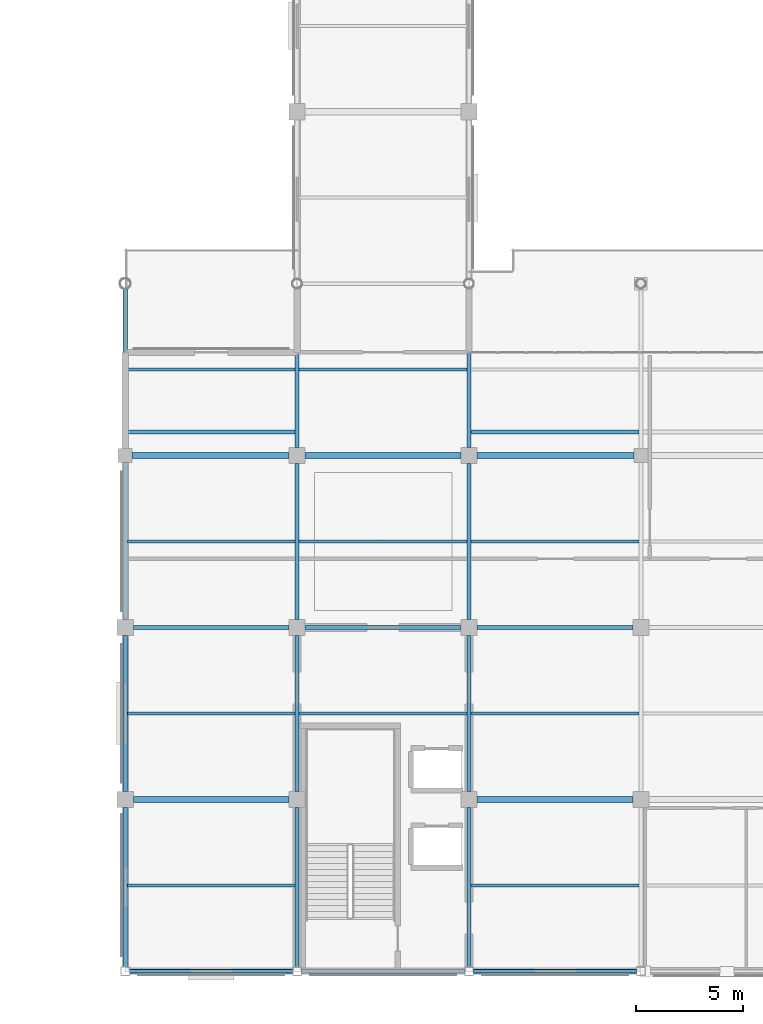
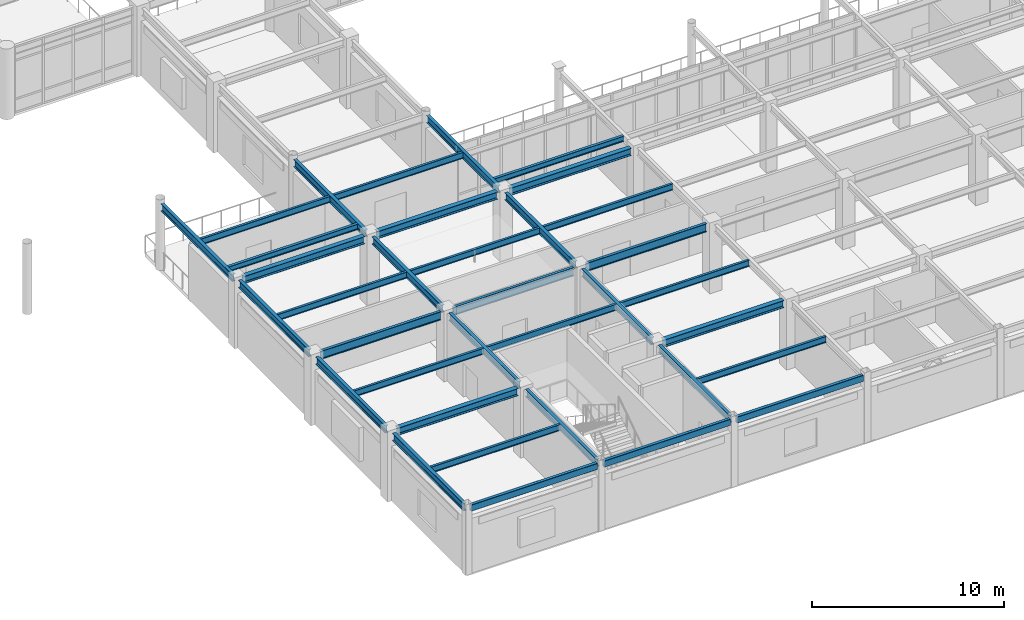
# One storey, part 15 of 75: 35 beams.
"""IFC4 building model written with IfcOpenShell, lengths in metres."""

from ifc_helpers import new_model, si_unit, direction, frame, origin, origin_2d, place, context, subcontext, project, spatial, hollow_rectangle, i_section, extrude, material, material_profile, profile_set, type_object, element, save


model = new_model("IFC4")

# Units and contexts
model_context = context("Model", 3, precision=1e-05, world=origin(), true_north=direction((0.0, 1.0)))
body_context = subcontext(model_context, "Body", "Model", "MODEL_VIEW")
ifc_project = project(units=[si_unit("LENGTHUNIT", "METRE"), si_unit("AREAUNIT", "SQUARE_METRE"), si_unit("VOLUMEUNIT", "CUBIC_METRE"), si_unit("PLANEANGLEUNIT", "RADIAN"), si_unit("MASSUNIT", "GRAM", prefix="KILO")], contexts=[model_context])

# Site, building, storey
site_placement = place(None, origin())
site = spatial("IfcSite", under=ifc_project, at=site_placement, CompositionType="ELEMENT")
building_placement = place(site_placement, origin())
building = spatial("IfcBuilding", under=site, at=building_placement, Name="Solmirada Galleria", CompositionType="ELEMENT")
storey_placement = place(building_placement, frame((0.0, 0.0, 19.39990234375)))
storey = spatial("IfcBuildingStorey", under=building, at=storey_placement, Name="L04", CompositionType="ELEMENT", Elevation=19.39990234375)

# Beams
ifc_material_1 = material(Name="Steel S355 / ASTM A992 Grade 50", Category="steel")
ifc_material_profile_1 = material_profile(ifc_material_1, i_section(OverallWidth=0.281982421875, OverallDepth=0.467041015625, WebThickness=0.01220703125, FlangeThickness=0.01953125, FilletRadius=0.013916015625, at=origin_2d()), Name="W18X86")
ifc_profile_set_1 = profile_set([ifc_material_profile_1], Name="Steel S355 / ASTM A992 Grade 50")
beam_type_1 = type_object("IfcBeamType", Name="BM-GIRD-W18A", PredefinedType="BEAM", material=ifc_profile_set_1)
beam_1_placement = place(storey_placement, frame((80.375, 8.0, 4.066650390625), z_axis=(1.0, 0.0, 0.0), x_axis=(0.0, 1.0, 0.0)))
element("IfcBeam", 1, at=beam_1_placement, inside=storey, type_object=beam_type_1, Name="Primary beam L05 X(80..88, 8)", PredefinedType="BEAM", context=body_context, shape_type="SweptSolid", body=[
    extrude(i_section(OverallWidth=0.281982421875, OverallDepth=0.467041015625, WebThickness=0.01220703125, FlangeThickness=0.01953125, FilletRadius=0.013916015625, at=origin_2d()), origin(), (0.0, 0.0, 1.0), 7.25),
])
beam_2_placement = place(storey_placement, frame((80.324951171875, 24.0, 4.026611328125), z_axis=(1.0, 0.0, 0.0), x_axis=(0.0, 1.0, 0.0)))
element("IfcBeam", 2, at=beam_2_placement, inside=storey, type_object=beam_type_1, Name="Primary beam L05 X(80..88, 24)", PredefinedType="BEAM", context=body_context, shape_type="SweptSolid", body=[
    extrude(i_section(OverallWidth=0.281982421875, OverallDepth=0.467041015625, WebThickness=0.01220703125, FlangeThickness=0.01953125, FilletRadius=0.013916015625, at=origin_2d()), origin(), (0.0, 0.0, 1.0), 7.300048828125),
])
for number, where, z_axis, x_axis, name in (
    (3, (88.375, 24.0, 4.066650390625), (1.0, 0.0, 0.0), (0.0, 1.0, 0.0), "Primary beam L05 X(88..96, 24)"),
    (4, (96.375, 8.0, 4.066650390625), (1.0, 0.0, 0.0), (0.0, 1.0, 0.0), "Primary beam L05 X(96..104, 8)"),
):
    element("IfcBeam", number, at=place(storey_placement, frame(where, z_axis=z_axis, x_axis=x_axis)), inside=storey, type_object=beam_type_1, Name=name, PredefinedType="BEAM", context=body_context, shape_type="SweptSolid", body=[
        extrude(i_section(OverallWidth=0.281982421875, OverallDepth=0.467041015625, WebThickness=0.01220703125, FlangeThickness=0.01953125, FilletRadius=0.013916015625, at=origin_2d()), origin(), (0.0, 0.0, 1.0), 7.25),
    ])
beam_3_placement = place(storey_placement, frame((96.375, 24.0, 4.026611328125), z_axis=(1.0, 0.0, 0.0), x_axis=(0.0, 1.0, 0.0)))
element("IfcBeam", 5, at=beam_3_placement, inside=storey, type_object=beam_type_1, Name="Primary beam L05 X(96..104, 24)", PredefinedType="BEAM", context=body_context, shape_type="SweptSolid", body=[
    extrude(i_section(OverallWidth=0.281982421875, OverallDepth=0.467041015625, WebThickness=0.01220703125, FlangeThickness=0.01953125, FilletRadius=0.013916015625, at=origin_2d()), origin(), (0.0, 0.0, 1.0), 7.300048828125),
])
ifc_material_profile_2 = material_profile(ifc_material_1, i_section(OverallWidth=0.193115234375, OverallDepth=0.466064453125, WebThickness=0.011474609375, FlangeThickness=0.01904296875, FilletRadius=0.013916015625, at=origin_2d()), Name="W18X65")
ifc_profile_set_2 = profile_set([ifc_material_profile_2], Name="Steel S355 / ASTM A992 Grade 50")
beam_type_2 = type_object("IfcBeamType", Name="BM-GIRD-W18C", PredefinedType="BEAM", material=ifc_profile_set_2)
beam_4_placement = place(storey_placement, frame((80.0, 0.202880859375, 4.067138671875), z_axis=(0.0, 1.0, 0.0), x_axis=(-1.0, 0.0, 0.0)))
element("IfcBeam", 6, at=beam_4_placement, inside=storey, type_object=beam_type_2, Name="Primary girder L05 Y(80, 0..8)", PredefinedType="BEAM", context=body_context, shape_type="SweptSolid", body=[
    extrude(i_section(OverallWidth=0.193115234375, OverallDepth=0.466064453125, WebThickness=0.011474609375, FlangeThickness=0.01904296875, FilletRadius=0.013916015625, at=origin_2d()), origin(), (0.0, 0.0, 1.0), 7.422119140625),
])
beam_5_placement = place(storey_placement, frame((80.0, 8.375, 4.067138671875), z_axis=(0.0, 1.0, 0.0), x_axis=(-1.0, 0.0, 0.0)))
element("IfcBeam", 7, at=beam_5_placement, inside=storey, type_object=beam_type_2, Name="Primary girder L05 Y(80, 8..16)", PredefinedType="BEAM", context=body_context, shape_type="SweptSolid", body=[
    extrude(i_section(OverallWidth=0.193115234375, OverallDepth=0.466064453125, WebThickness=0.011474609375, FlangeThickness=0.01904296875, FilletRadius=0.013916015625, at=origin_2d()), origin(), (0.0, 0.0, 1.0), 7.25),
])
beam_6_placement = place(storey_placement, frame((80.0, 16.375, 4.067138671875), z_axis=(0.0, 1.0, 0.0), x_axis=(-1.0, 0.0, 0.0)))
element("IfcBeam", 8, at=beam_6_placement, inside=storey, type_object=beam_type_2, Name="Primary girder L05 Y(80, 16..24)", PredefinedType="BEAM", context=body_context, shape_type="SweptSolid", body=[
    extrude(i_section(OverallWidth=0.193115234375, OverallDepth=0.466064453125, WebThickness=0.011474609375, FlangeThickness=0.01904296875, FilletRadius=0.013916015625, at=origin_2d()), origin(), (0.0, 0.0, 1.0), 7.300048828125),
])
beam_7_placement = place(storey_placement, frame((80.0, 24.324951171875, 4.027099609375), z_axis=(0.0, 1.0, 0.0), x_axis=(-1.0, 0.0, 0.0)))
element("IfcBeam", 9, at=beam_7_placement, inside=storey, type_object=beam_type_2, Name="Primary girder L05 Y(80, 24..32)", PredefinedType="BEAM", context=body_context, shape_type="SweptSolid", body=[
    extrude(i_section(OverallWidth=0.193115234375, OverallDepth=0.466064453125, WebThickness=0.011474609375, FlangeThickness=0.01904296875, FilletRadius=0.013916015625, at=origin_2d()), origin(), (0.0, 0.0, 1.0), 7.461669921875),
])
beam_8_placement = place(storey_placement, frame((88.0, 0.202880859375, 4.067138671875), z_axis=(0.0, 1.0, 0.0), x_axis=(-1.0, 0.0, 0.0)))
element("IfcBeam", 10, at=beam_8_placement, inside=storey, type_object=beam_type_2, Name="Primary girder L05 Y(88, 0..8)", PredefinedType="BEAM", context=body_context, shape_type="SweptSolid", body=[
    extrude(i_section(OverallWidth=0.193115234375, OverallDepth=0.466064453125, WebThickness=0.011474609375, FlangeThickness=0.01904296875, FilletRadius=0.013916015625, at=origin_2d()), origin(), (0.0, 0.0, 1.0), 7.422119140625),
])
for number, where, z_axis, x_axis, name in (
    (11, (88.0, 8.375, 4.067138671875), (0.0, 1.0, 0.0), (-1.0, 0.0, 0.0), "Primary girder L05 Y(88, 8..16)"),
    (12, (88.0, 16.375, 4.067138671875), (0.0, 1.0, 0.0), (-1.0, 0.0, 0.0), "Primary girder L05 Y(88, 16..24)"),
):
    element("IfcBeam", number, at=place(storey_placement, frame(where, z_axis=z_axis, x_axis=x_axis)), inside=storey, type_object=beam_type_2, Name=name, PredefinedType="BEAM", context=body_context, shape_type="SweptSolid", body=[
        extrude(i_section(OverallWidth=0.193115234375, OverallDepth=0.466064453125, WebThickness=0.011474609375, FlangeThickness=0.01904296875, FilletRadius=0.013916015625, at=origin_2d()), origin(), (0.0, 0.0, 1.0), 7.25),
    ])
beam_9_placement = place(storey_placement, frame((88.0, 24.375, 4.027099609375), z_axis=(0.0, 1.0, 0.0), x_axis=(-1.0, 0.0, 0.0)))
element("IfcBeam", 13, at=beam_9_placement, inside=storey, type_object=beam_type_2, Name="Primary girder L05 Y(88, 24..32)", PredefinedType="BEAM", context=body_context, shape_type="SweptSolid", body=[
    extrude(i_section(OverallWidth=0.193115234375, OverallDepth=0.466064453125, WebThickness=0.011474609375, FlangeThickness=0.01904296875, FilletRadius=0.013916015625, at=origin_2d()), origin(), (0.0, 0.0, 1.0), 7.43310546875),
])
beam_10_placement = place(storey_placement, frame((96.0, 0.202880859375, 4.067138671875), z_axis=(0.0, 1.0, 0.0), x_axis=(-1.0, 0.0, 0.0)))
element("IfcBeam", 14, at=beam_10_placement, inside=storey, type_object=beam_type_2, Name="Primary girder L05 Y(96, 0..8)", PredefinedType="BEAM", context=body_context, shape_type="SweptSolid", body=[
    extrude(i_section(OverallWidth=0.193115234375, OverallDepth=0.466064453125, WebThickness=0.011474609375, FlangeThickness=0.01904296875, FilletRadius=0.013916015625, at=origin_2d()), origin(), (0.0, 0.0, 1.0), 7.422119140625),
])
for number, where, z_axis, x_axis, name in (
    (15, (96.0, 8.375, 4.067138671875), (0.0, 1.0, 0.0), (-1.0, 0.0, 0.0), "Primary girder L05 Y(96, 8..16)"),
    (16, (96.0, 16.375, 4.067138671875), (0.0, 1.0, 0.0), (-1.0, 0.0, 0.0), "Primary girder L05 Y(96, 16..24)"),
):
    element("IfcBeam", number, at=place(storey_placement, frame(where, z_axis=z_axis, x_axis=x_axis)), inside=storey, type_object=beam_type_2, Name=name, PredefinedType="BEAM", context=body_context, shape_type="SweptSolid", body=[
        extrude(i_section(OverallWidth=0.193115234375, OverallDepth=0.466064453125, WebThickness=0.011474609375, FlangeThickness=0.01904296875, FilletRadius=0.013916015625, at=origin_2d()), origin(), (0.0, 0.0, 1.0), 7.25),
    ])
beam_11_placement = place(storey_placement, frame((96.0, 24.375, 4.027099609375), z_axis=(0.0, 1.0, 0.0), x_axis=(-1.0, 0.0, 0.0)))
element("IfcBeam", 17, at=beam_11_placement, inside=storey, type_object=beam_type_2, Name="Primary girder L05 Y(96, 24..32)", PredefinedType="BEAM", context=body_context, shape_type="SweptSolid", body=[
    extrude(i_section(OverallWidth=0.193115234375, OverallDepth=0.466064453125, WebThickness=0.011474609375, FlangeThickness=0.01904296875, FilletRadius=0.013916015625, at=origin_2d()), origin(), (0.0, 0.0, 1.0), 7.43310546875),
])
ifc_material_profile_3 = material_profile(ifc_material_1, i_section(OverallWidth=0.1669921875, OverallDepth=0.534912109375, WebThickness=0.01025390625, FlangeThickness=0.0166015625, FilletRadius=0.013916015625, at=origin_2d()), Name="W21X57")
ifc_profile_set_3 = profile_set([ifc_material_profile_3], Name="Steel S355 / ASTM A992 Grade 50")
beam_type_3 = type_object("IfcBeamType", Name="BM-GIRD-W21C", PredefinedType="BEAM", material=ifc_profile_set_3)
for number, where, z_axis, x_axis, name in (
    (18, (80.375, 16.0, 4.03271484375), (1.0, 0.0, 0.0), (0.0, 1.0, 0.0), "Primary beam L05 X(80..88, 16)"),
    (19, (88.375, 16.0, 4.03271484375), (1.0, 0.0, 0.0), (0.0, 1.0, 0.0), "Primary beam L05 X(88..96, 16)"),
    (20, (96.375, 16.0, 4.03271484375), (1.0, 0.0, 0.0), (0.0, 1.0, 0.0), "Primary beam L05 X(96..104, 16)"),
):
    element("IfcBeam", number, at=place(storey_placement, frame(where, z_axis=z_axis, x_axis=x_axis)), inside=storey, type_object=beam_type_3, Name=name, PredefinedType="BEAM", context=body_context, shape_type="SweptSolid", body=[
        extrude(i_section(OverallWidth=0.1669921875, OverallDepth=0.534912109375, WebThickness=0.01025390625, FlangeThickness=0.0166015625, FilletRadius=0.013916015625, at=origin_2d()), origin(), (0.0, 0.0, 1.0), 7.25),
    ])
ifc_material_profile_4 = material_profile(ifc_material_1, i_section(OverallWidth=0.1708984375, OverallDepth=0.35205078125, WebThickness=0.0068359375, FlangeThickness=0.009765625, FilletRadius=0.010986328125, at=origin_2d()), Name="W14X30")
ifc_profile_set_4 = profile_set([ifc_material_profile_4], Name="Steel S355 / ASTM A992 Grade 50")
beam_type_4 = type_object("IfcBeamType", Name="BM-JST-W14B", PredefinedType="JOIST", material=ifc_profile_set_4)
for number, where, z_axis, x_axis, name in (
    (21, (80.096435546875, 25.10009765625, 4.083984375), (1.0, 0.0, 0.0), (0.0, 1.0, 0.0), "Terrace deck joist L05-TERR-SW X=80..88 (1)"),
    (22, (96.096435546875, 25.10009765625, 4.083984375), (1.0, 0.0, 0.0), (0.0, 1.0, 0.0), "Terrace deck joist L05-TERR-SE X=96..104 (1)"),
):
    element("IfcBeam", number, at=place(storey_placement, frame(where, z_axis=z_axis, x_axis=x_axis)), inside=storey, type_object=beam_type_4, Name=name, PredefinedType="JOIST", context=body_context, shape_type="SweptSolid", body=[
        extrude(i_section(OverallWidth=0.1708984375, OverallDepth=0.35205078125, WebThickness=0.0068359375, FlangeThickness=0.009765625, FilletRadius=0.010986328125, at=origin_2d()), origin(), (0.0, 0.0, 1.0), 7.80712890625),
    ])
ifc_material_profile_5 = material_profile(ifc_material_1, i_section(OverallWidth=0.139892578125, OverallDepth=0.39892578125, WebThickness=0.00634765625, FlangeThickness=0.0087890625, FilletRadius=0.010986328125, at=origin_2d()), Name="W16X26")
ifc_profile_set_5 = profile_set([ifc_material_profile_5], Name="Steel S355 / ASTM A992 Grade 50")
beam_type_5 = type_object("IfcBeamType", Name="BM-JST-W16C", PredefinedType="JOIST", material=ifc_profile_set_5)
for number, where, z_axis, x_axis, name in (
    (23, (80.096435546875, 4.0, 4.1005859375), (1.0, 0.0, 0.0), (0.0, 1.0, 0.0), "Composite floor joist L05 (80..88, 4.0)"),
    (24, (80.096435546875, 12.0, 4.1005859375), (1.0, 0.0, 0.0), (0.0, 1.0, 0.0), "Composite floor joist L05 (80..88, 12.0)"),
    (25, (80.096435546875, 20.0, 4.1005859375), (1.0, 0.0, 0.0), (0.0, 1.0, 0.0), "Composite floor joist L05 (80..88, 20.0)"),
    (26, (80.096435546875, 28.0, 4.060546875), (1.0, 0.0, 0.0), (0.0, 1.0, 0.0), "Composite floor joist L05 (80..88, 28.0)"),
    (27, (88.096435546875, 12.0, 4.1005859375), (1.0, 0.0, 0.0), (0.0, 1.0, 0.0), "Composite floor joist L05 (88..96, 12.0)"),
    (28, (88.096435546875, 20.0, 4.1005859375), (1.0, 0.0, 0.0), (0.0, 1.0, 0.0), "Composite floor joist L05 (88..96, 20.0)"),
    (29, (88.096435546875, 28.0, 4.060546875), (1.0, 0.0, 0.0), (0.0, 1.0, 0.0), "Composite floor joist L05 (88..96, 28.0)"),
    (30, (96.096435546875, 4.0, 4.1005859375), (1.0, 0.0, 0.0), (0.0, 1.0, 0.0), "Composite floor joist L05 (96..104, 4.0)"),
    (31, (96.096435546875, 12.0, 4.1005859375), (1.0, 0.0, 0.0), (0.0, 1.0, 0.0), "Composite floor joist L05 (96..104, 12.0)"),
    (32, (96.096435546875, 20.0, 4.1005859375), (1.0, 0.0, 0.0), (0.0, 1.0, 0.0), "Composite floor joist L05 (96..104, 20.0)"),
):
    element("IfcBeam", number, at=place(storey_placement, frame(where, z_axis=z_axis, x_axis=x_axis)), inside=storey, type_object=beam_type_5, Name=name, PredefinedType="JOIST", context=body_context, shape_type="SweptSolid", body=[
        extrude(i_section(OverallWidth=0.139892578125, OverallDepth=0.39892578125, WebThickness=0.00634765625, FlangeThickness=0.0087890625, FilletRadius=0.010986328125, at=origin_2d()), origin(), (0.0, 0.0, 1.0), 7.80712890625),
    ])
ifc_material_2 = material(Name="Steel S355 / ASTM A500 Grade C", Category="steel")
ifc_material_profile_6 = material_profile(ifc_material_2, hollow_rectangle(XDim=0.202880859375, YDim=0.406005859375, WallThickness=0.01171875, InnerFilletRadius=0.01171875, OuterFilletRadius=0.023681640625, at=origin_2d()), Name="HSS16X8X1/2")
ifc_profile_set_6 = profile_set([ifc_material_profile_6], Name="Steel S355 / ASTM A500 Grade C")
beam_type_6 = type_object("IfcBeamType", Name="BM-SPAND-W16A", PredefinedType="SPANDREL", material=ifc_profile_set_6)
for number, where, z_axis, x_axis, name in (
    (33, (80.202880859375, 0.0, 4.09716796875), (1.0, 0.0, 0.0), (0.0, 1.0, 0.0), "Primary beam L05 X(80..88, 0)"),
    (34, (88.202880859375, 0.0, 4.09716796875), (1.0, 0.0, 0.0), (0.0, 1.0, 0.0), "Primary beam L05 X(88..96, 0)"),
    (35, (96.202880859375, 0.0, 4.09716796875), (1.0, 0.0, 0.0), (0.0, 1.0, 0.0), "Primary beam L05 X(96..104, 0)"),
):
    element("IfcBeam", number, at=place(storey_placement, frame(where, z_axis=z_axis, x_axis=x_axis)), inside=storey, type_object=beam_type_6, Name=name, PredefinedType="SPANDREL", context=body_context, shape_type="SweptSolid", body=[
        extrude(hollow_rectangle(XDim=0.202880859375, YDim=0.406005859375, WallThickness=0.01171875, InnerFilletRadius=0.01171875, OuterFilletRadius=0.023681640625, at=origin_2d()), origin(), (0.0, 0.0, 1.0), 7.59423828125),
    ])

save(model, "model.ifc")
